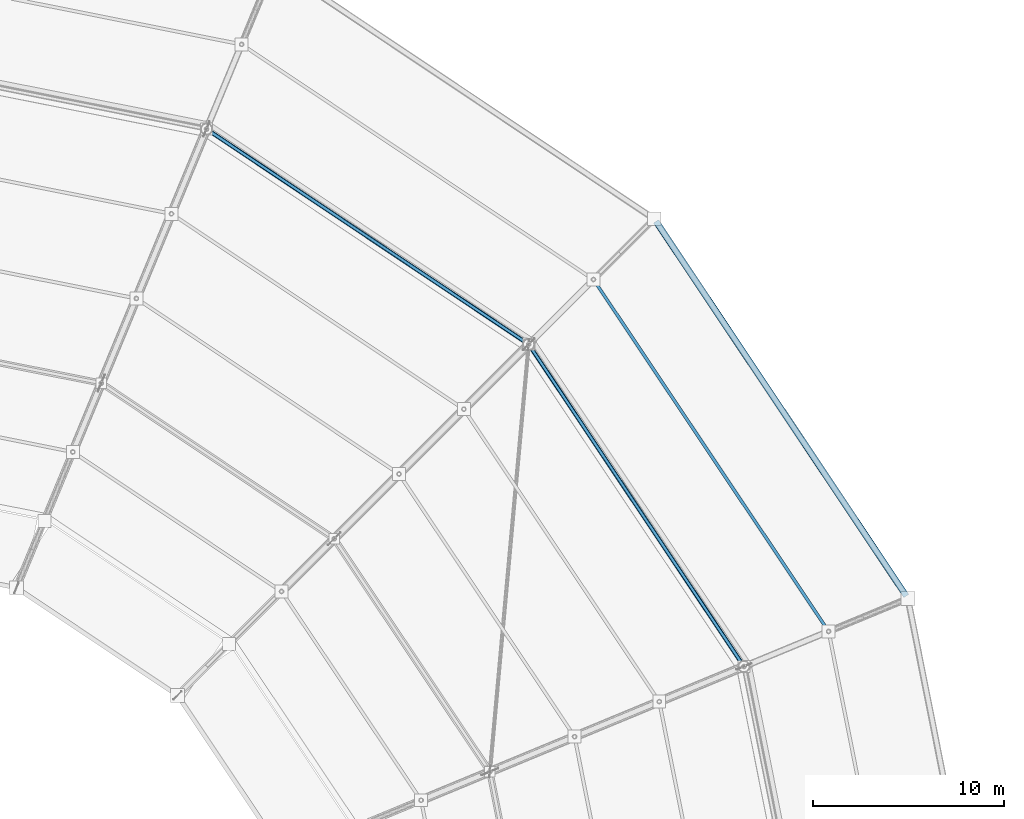
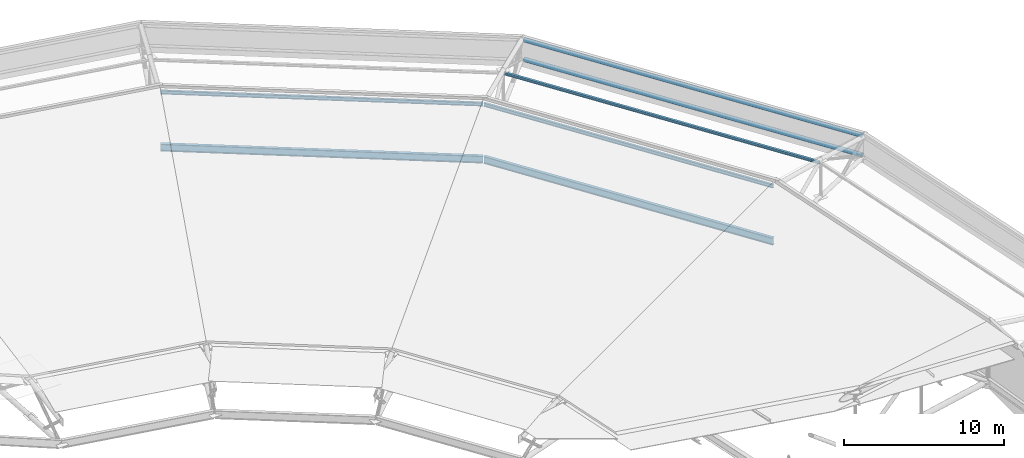
# One storey, part 84 of 146: 4 beams, 3 members.
"""IFC4 building model written with IfcOpenShell, lengths in metres."""

from ifc_helpers import new_model, si_unit, direction, frame, origin, origin_2d, place, context, subcontext, project, spatial, hollow_circle, i_section, extrude, material, material_profile, profile_set, type_object, element, save


model = new_model("IFC4")

# Units and contexts
model_context = context("Model", 3, precision=1e-05, world=origin(), true_north=direction((0.0, 1.0)))
body_context = subcontext(model_context, "Body", "Model", "MODEL_VIEW")
ifc_project = project(units=[si_unit("LENGTHUNIT", "METRE"), si_unit("AREAUNIT", "SQUARE_METRE"), si_unit("VOLUMEUNIT", "CUBIC_METRE"), si_unit("PLANEANGLEUNIT", "RADIAN"), si_unit("MASSUNIT", "GRAM", prefix="KILO")], contexts=[model_context])

# Site, building, storey
site_placement = place(None, origin())
site = spatial("IfcSite", under=ifc_project, at=site_placement, CompositionType="ELEMENT")
building_placement = place(site_placement, origin())
building = spatial("IfcBuilding", under=site, at=building_placement, Name="Candeia Ridge Stadium", CompositionType="ELEMENT")
storey_placement = place(building_placement, frame((0.0, 0.0, 31.800048828125)))
storey = spatial("IfcBuildingStorey", under=building, at=storey_placement, Name="RF", CompositionType="ELEMENT", Elevation=31.800048828125)

# Beams
ifc_material = material(Name="Steel ASTM A572 Grade 50", Category="steel")
ifc_material_profile_1 = material_profile(ifc_material, i_section(OverallWidth=0.14794921875, OverallDepth=0.26611328125, WebThickness=0.007568359375, FlangeThickness=0.012939453125, FilletRadius=0.010986328125, at=origin_2d()), Name="W250x44.8", Category="steel")
ifc_profile_set_1 = profile_set([ifc_material_profile_1], Name="Steel ASTM A572 Grade 50")
beam_type_1 = type_object("IfcBeamType", Name="Canopy Edge Spandrel W250x44.8", PredefinedType="SPANDREL", material=ifc_profile_set_1)
for number, where, z_axis, x_axis, name in (
    (1, (189.01953125, 114.932861328125, 4.599853515625), (-0.555572478713, 0.831468111774, 0.0), (-0.831468111774, -0.555572478713, 0.0), "Roof crown cap ring beam bay 34"),
    (2, (177.736328125, 131.791748046875, 4.599853515625), (-0.831468111774, 0.555572478713, 0.0), (-0.555572478713, -0.831468111774, 0.0), "Roof crown cap ring beam bay 35"),
):
    element("IfcBeam", number, at=place(storey_placement, frame(where, z_axis=z_axis, x_axis=x_axis)), inside=storey, type_object=beam_type_1, Name=name, PredefinedType="SPANDREL", context=body_context, shape_type="SweptSolid", body=[
        extrude(i_section(OverallWidth=0.14794921875, OverallDepth=0.26611328125, WebThickness=0.007568359375, FlangeThickness=0.012939453125, FilletRadius=0.010986328125, at=origin_2d()), origin(), (0.0, 0.0, 1.0), 20.20947265625),
    ])
ifc_material_profile_2 = material_profile(ifc_material, i_section(OverallWidth=0.2119140625, OverallDepth=0.5439453125, WebThickness=0.01318359375, FlangeThickness=0.021240234375, FilletRadius=0.013916015625, at=origin_2d()), Name="W530x123", Category="steel")
ifc_profile_set_2 = profile_set([ifc_material_profile_2], Name="Steel ASTM A572 Grade 50")
beam_type_2 = type_object("IfcBeamType", Name="Roof Perimeter Ring Beam W530x123", PredefinedType="BEAM", material=ifc_profile_set_2)
for number, where, z_axis, x_axis, name in (
    (3, (189.01953125, 114.932861328125, 0.39990234375), (-0.555572478713, 0.831468111774, 0.0), (-0.831468111774, -0.555572478713, 0.0), "Roof perimeter ring beam bay 34"),
    (4, (177.736328125, 131.791748046875, 0.39990234375), (-0.831468111774, 0.555572478713, 0.0), (-0.555572478713, -0.831468111774, 0.0), "Roof perimeter ring beam bay 35"),
):
    element("IfcBeam", number, at=place(storey_placement, frame(where, z_axis=z_axis, x_axis=x_axis)), inside=storey, type_object=beam_type_2, Name=name, PredefinedType="BEAM", context=body_context, shape_type="SweptSolid", body=[
        extrude(i_section(OverallWidth=0.2119140625, OverallDepth=0.5439453125, WebThickness=0.01318359375, FlangeThickness=0.021240234375, FilletRadius=0.013916015625, at=origin_2d()), origin(), (0.0, 0.0, 1.0), 20.20947265625),
    ])

# Members
ifc_material_profile_3 = material_profile(ifc_material, i_section(OverallWidth=0.1650390625, OverallDepth=0.200927734375, WebThickness=0.006103515625, FlangeThickness=0.01025390625, FilletRadius=0.010009765625, at=origin_2d()), Name="W200x35.9", Category="steel")
ifc_profile_set_3 = profile_set([ifc_material_profile_3], Name="Steel ASTM A572 Grade 50")
member_type_1 = type_object("IfcMemberType", Name="Roof Purlin W200x35.9", PredefinedType="PURLIN", material=ifc_profile_set_3)
member_placement = place(storey_placement, frame((193.448486328125, 116.778076171875, 3.73828125), z_axis=(-0.555570704918, 0.83146929699, 0.0), x_axis=(-0.83146929699, -0.555570704918, 0.0)))
element("IfcMember", 5, at=member_placement, inside=storey, type_object=member_type_1, Name="Saddle roof steel purlin bay 34-5", PredefinedType="PURLIN", context=body_context, shape_type="SweptSolid", body=[
    extrude(i_section(OverallWidth=0.1650390625, OverallDepth=0.200927734375, WebThickness=0.006103515625, FlangeThickness=0.01025390625, FilletRadius=0.010009765625, at=origin_2d()), origin(), (0.0, 0.0, 1.0), 22.062255859375),
])
ifc_material_profile_4 = material_profile(ifc_material, hollow_circle(Radius=0.161865234375, WallThickness=0.012451171875, at=origin_2d()), Name="CHS323x12", Category="steel")
ifc_profile_set_4 = profile_set([ifc_material_profile_4], Name="Steel ASTM A572 Grade 50")
member_type_2 = type_object("IfcMemberType", Name="Roof Truss Eaves Chord CHS323x12", PredefinedType="CHORD", material=ifc_profile_set_4)
for number, where, z_axis, x_axis, name in (
    (6, (197.544921875, 118.591552734375, 3.281005859375), (-0.555568940049, 0.831470476236, 0.0), (-0.831470476236, -0.555568940049, 0.0), "Saddle roof outer eaves top ring chord bay 34"),
    (7, (197.544921875, 118.591552734375, 1.781005859375), (-0.555568940049, 0.831470476236, 0.0), (-0.831470476236, -0.555568940049, 0.0), "Saddle roof outer eaves bottom ring chord bay 34"),
):
    element("IfcMember", number, at=place(storey_placement, frame(where, z_axis=z_axis, x_axis=x_axis)), inside=storey, type_object=member_type_2, Name=name, PredefinedType="CHORD", context=body_context, shape_type="SweptSolid", body=[
        extrude(hollow_circle(Radius=0.161865234375, WallThickness=0.012451171875, at=origin_2d()), origin(), (0.0, 0.0, 1.0), 23.59814453125),
    ])

save(model, "model.ifc")
